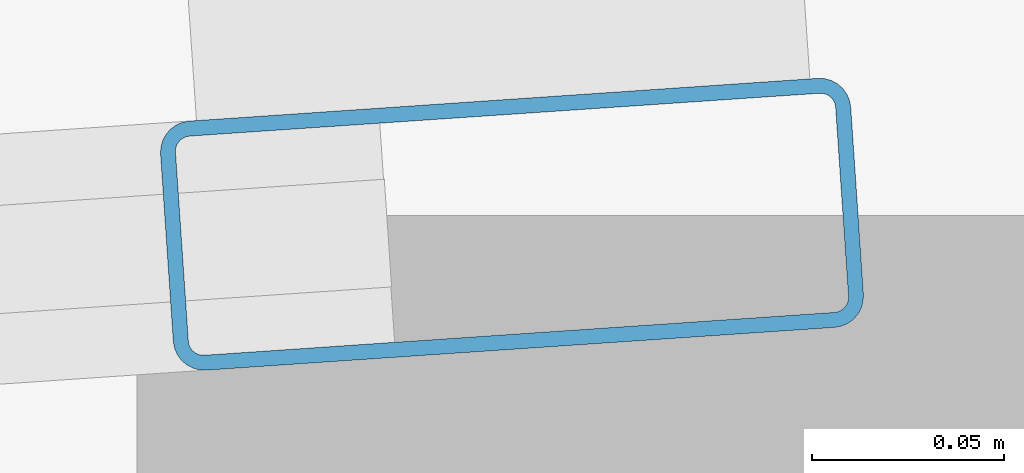
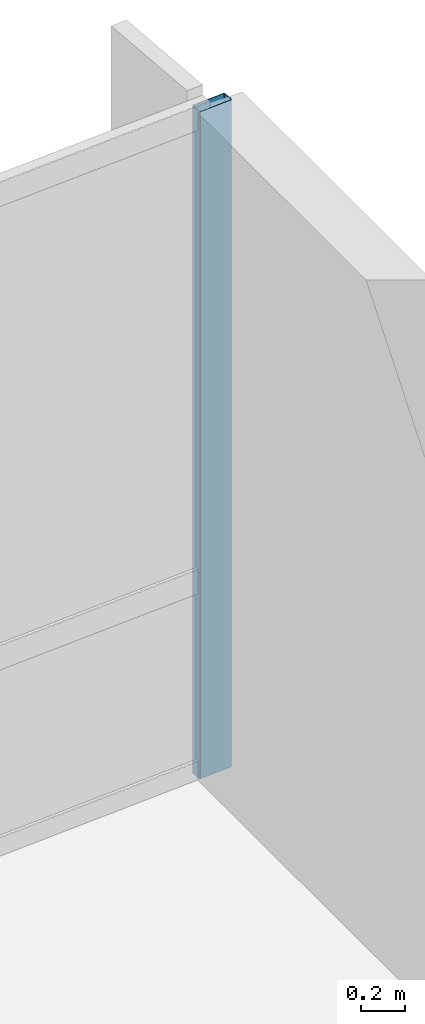
# One storey, part 9 of 17: 1 member, 1 element without a shape of its own.
"""IFC4 building model written with IfcOpenShell, lengths in metres."""

from ifc_helpers import new_model, si_unit, direction, frame, origin, origin_2d, place, context, subcontext, project, spatial, hollow_rectangle, extrude, material, layer, layer_set, material_profile, profile_set, type_object, element, aggregate, save


model = new_model("IFC4")

# Units and contexts
model_context = context("Model", 3, precision=1e-05, world=origin(), true_north=direction((0.0, 1.0)))
body_context = subcontext(model_context, "Body", "Model", "MODEL_VIEW")
ifc_project = project(units=[si_unit("LENGTHUNIT", "METRE"), si_unit("AREAUNIT", "SQUARE_METRE"), si_unit("VOLUMEUNIT", "CUBIC_METRE"), si_unit("PLANEANGLEUNIT", "RADIAN"), si_unit("MASSUNIT", "GRAM", prefix="KILO")], contexts=[model_context])

# Site, building, storey
site_placement = place(None, origin())
site = spatial("IfcSite", under=ifc_project, at=site_placement, CompositionType="ELEMENT")
building_placement = place(site_placement, origin())
building = spatial("IfcBuilding", under=site, at=building_placement, Name="Varnakote Quay Hospital", CompositionType="ELEMENT")
storey_placement = place(building_placement, frame((0.0, 0.0, 203.949951171875)))
storey = spatial("IfcBuildingStorey", under=building, at=storey_placement, Name="L50", CompositionType="ELEMENT", Elevation=203.949951171875)

# Curtain wall, member
ifc_material_1 = material(Name="Anodised aluminium 6063-T6 Bronze", Category="aluminium")
ifc_layer = layer(ifc_material_1, 0.219970703125)
ifc_layer_set = layer_set([ifc_layer], Name="Anodised aluminium 6063-T6 Bronze")
curtain_wall_type = type_object("IfcCurtainWallType", Name="CW-SYS-4", PredefinedType="NOTDEFINED", material=ifc_layer_set)
curtain_wall_placement = place(storey_placement, origin())
curtain_wall = element("IfcCurtainWall", 1, at=curtain_wall_placement, inside=storey, type_object=curtain_wall_type, Name="L50 Unitised Bronze Curtain Wall 2", PredefinedType="NOTDEFINED")
ifc_material_2 = material(Name="Anodised aluminium 6063-T6 Bronze", Category="aluminium")
ifc_material_profile = material_profile(ifc_material_2, hollow_rectangle(XDim=0.06494140625, YDim=0.179931640625, WallThickness=0.00390625, InnerFilletRadius=0.00390625, OuterFilletRadius=0.008056640625, at=origin_2d()), Name="CW-MULL-180x65")
ifc_profile_set = profile_set([ifc_material_profile], Name="Anodised aluminium 6063-T6 Bronze")
member_type = type_object("IfcMemberType", Name="CW-MULL-180x65", PredefinedType="MULLION", material=ifc_profile_set)
member_placement = place(storey_placement, frame((48.507568359375, 31.626708984375, 0.0), z_axis=(0.0, 0.0, 1.0), x_axis=(0.067841851077, -0.997696087615, 0.0)))
member = element("IfcMember", 2, at=member_placement, type_object=member_type, Name="-4-L50-2 mullion 1", PredefinedType="MULLION", context=body_context, shape_type="SweptSolid", body=[
    extrude(hollow_rectangle(XDim=0.06494140625, YDim=0.179931640625, WallThickness=0.00390625, InnerFilletRadius=0.00390625, OuterFilletRadius=0.008056640625, at=origin_2d()), origin(), (0.0, 0.0, 1.0), 3.7099609375),
])
aggregate(curtain_wall, [member])

save(model, "model.ifc")
